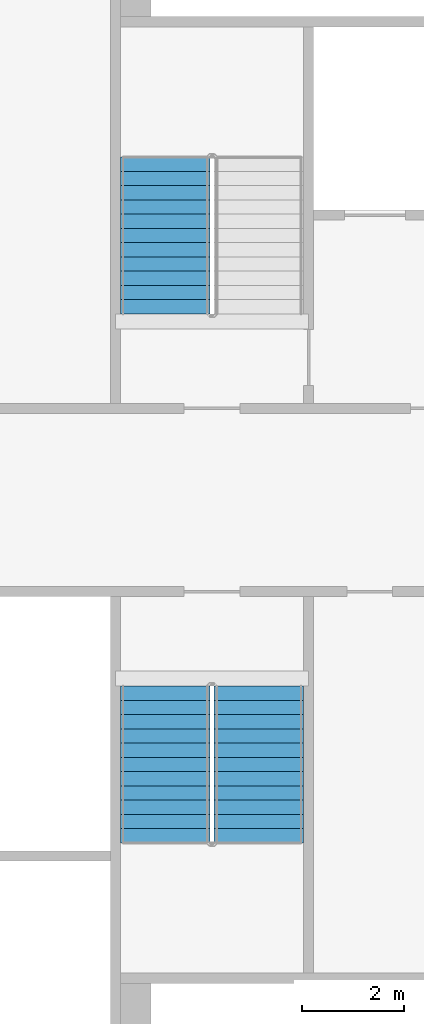
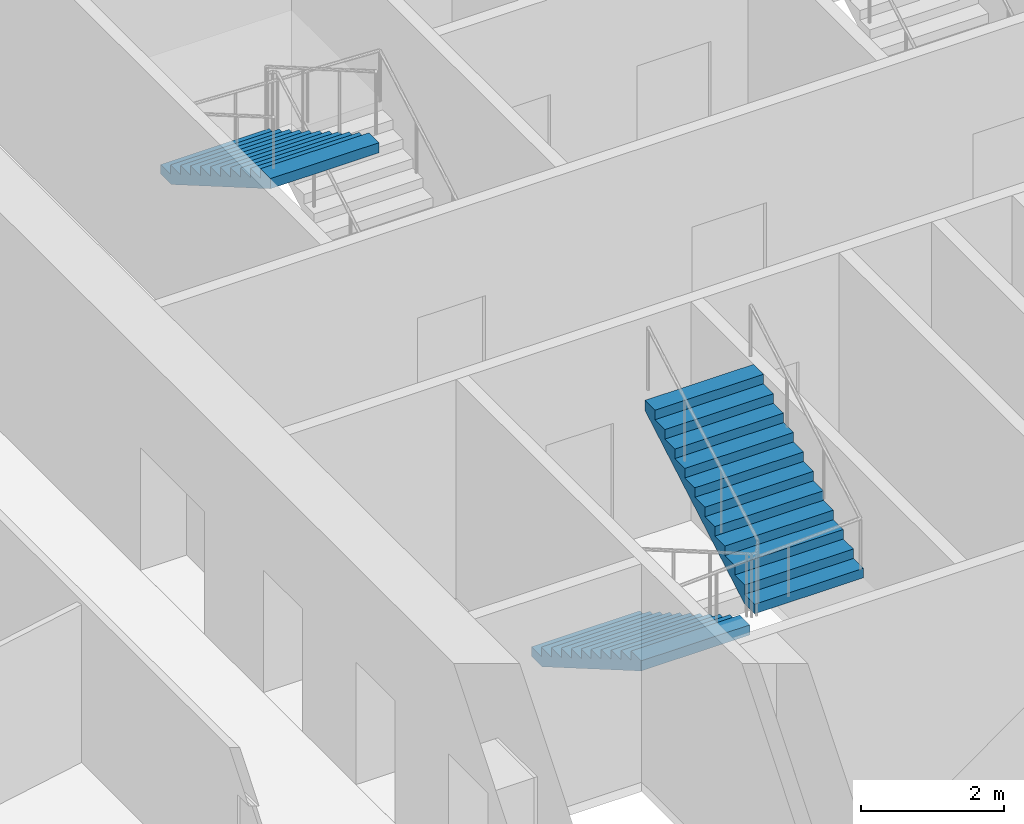
# One storey, part 8 of 16: 3 stair flights, 2 elements without a shape of their own.
"""IFC4 building model written with IfcOpenShell, lengths in metres."""

from ifc_helpers import new_model, si_unit, direction, frame, origin, place, context, subcontext, project, spatial, faceted_brep, material, type_object, element, aggregate, save


model = new_model("IFC4")

# Units and contexts
model_context = context("Model", 3, precision=1e-05, world=origin(), true_north=direction((0.0, 1.0)))
body_context = subcontext(model_context, "Body", "Model", "MODEL_VIEW")
ifc_project = project(units=[si_unit("LENGTHUNIT", "METRE"), si_unit("AREAUNIT", "SQUARE_METRE"), si_unit("VOLUMEUNIT", "CUBIC_METRE"), si_unit("PLANEANGLEUNIT", "RADIAN"), si_unit("MASSUNIT", "GRAM", prefix="KILO")], contexts=[model_context])

# Site, building, storey
site_placement = place(None, origin())
site = spatial("IfcSite", under=ifc_project, at=site_placement, CompositionType="ELEMENT")
building_placement = place(site_placement, origin())
building = spatial("IfcBuilding", under=site, at=building_placement, Name="Tarsis Ring Headquarters", CompositionType="ELEMENT")
storey_placement = place(building_placement, frame((0.0, 0.0, 104.5)))
storey = spatial("IfcBuildingStorey", under=building, at=storey_placement, Name="L23", CompositionType="ELEMENT", Elevation=104.5)

# Stair, stair flight
ifc_material_1 = material(Name="Core stair 1760")
stair_type = type_object("IfcStairType", Name="Core stair 1760", PredefinedType="HALF_TURN_STAIR", material=ifc_material_1)
stair_1_placement = place(storey_placement, origin())
stair_1 = element("IfcStair", 1, at=stair_1_placement, inside=storey, type_object=stair_type, Name="L23 Firefighting stair", PredefinedType="HALF_TURN_STAIR")
ifc_material_2 = material(Name="Concrete C40/50", Category="concrete")
stair_flight_type = type_object("IfcStairFlightType", Name="Core stair flight 1760", PredefinedType="STRAIGHT", material=ifc_material_2)
stair_flight_1_placement = place(storey_placement, frame((-5.419921875, 6.739990234375, 1.949951171875), z_axis=(0.0, 0.0, 1.0), x_axis=(0.0, -1.0, 0.0)))
stair_flight_1 = element("IfcStairFlight", 2, at=stair_flight_1_placement, type_object=stair_flight_type, Name="Stair ST1 flight 2", NumberOfRisers=12, NumberOfTreads=11, PredefinedType="STRAIGHT", RiserHeight=0.1625, TreadLength=0.28, context=body_context, shape_type="Brep", body=[
    faceted_brep([(0.0, 0.8798828125, 0.0), (0.0, 0.8798828125, 0.16259765625), (0.280029296875, 0.8798828125, 0.16259765625), (0.280029296875, 0.8798828125, 0.324951171875), (0.56005859375, 0.8798828125, 0.324951171875), (0.56005859375, 0.8798828125, 0.487548828125), (0.840087890625, 0.8798828125, 0.487548828125), (0.840087890625, 0.8798828125, 0.64990234375), (1.1201171875, 0.8798828125, 0.64990234375), (1.1201171875, 0.8798828125, 0.8125), (1.39990234375, 0.8798828125, 0.8125), (1.39990234375, 0.8798828125, 0.97509765625), (1.679931640625, 0.8798828125, 0.97509765625), (1.679931640625, 0.8798828125, 1.137451171875), (1.9599609375, 0.8798828125, 1.137451171875), (1.9599609375, 0.8798828125, 1.300048828125), (2.239990234375, 0.8798828125, 1.300048828125), (2.239990234375, 0.8798828125, 1.46240234375), (2.52001953125, 0.8798828125, 1.46240234375), (2.52001953125, 0.8798828125, 1.625), (2.800048828125, 0.8798828125, 1.625), (2.800048828125, 0.8798828125, 1.78759765625), (3.080078125, 0.8798828125, 1.78759765625), (3.080078125, 0.8798828125, 1.6142578125), (0.298583984375, 0.8798828125, 0.0), (0.298583984375, -0.8798828125, 0.0), (3.080078125, -0.8798828125, 1.6142578125), (3.080078125, -0.8798828125, 1.78759765625), (2.800048828125, -0.8798828125, 1.78759765625), (2.800048828125, -0.8798828125, 1.625), (2.52001953125, -0.8798828125, 1.625), (2.52001953125, -0.8798828125, 1.46240234375), (2.239990234375, -0.8798828125, 1.46240234375), (2.239990234375, -0.8798828125, 1.300048828125), (1.9599609375, -0.8798828125, 1.300048828125), (1.9599609375, -0.8798828125, 1.137451171875), (1.679931640625, -0.8798828125, 1.137451171875), (1.679931640625, -0.8798828125, 0.97509765625), (1.39990234375, -0.8798828125, 0.97509765625), (1.39990234375, -0.8798828125, 0.8125), (1.1201171875, -0.8798828125, 0.8125), (1.1201171875, -0.8798828125, 0.64990234375), (0.840087890625, -0.8798828125, 0.64990234375), (0.840087890625, -0.8798828125, 0.487548828125), (0.56005859375, -0.8798828125, 0.487548828125), (0.56005859375, -0.8798828125, 0.324951171875), (0.280029296875, -0.8798828125, 0.324951171875), (0.280029296875, -0.8798828125, 0.16259765625), (0.0, -0.8798828125, 0.16259765625), (0.0, -0.8798828125, 0.0), (0.0, -0.43994140625, 0.16259765625), (0.0, -0.43994140625, 0.0), (0.0, 0.0, 0.16259765625), (0.0, 0.0, 0.0), (0.0, 0.43994140625, 0.16259765625), (0.0, 0.43994140625, 0.0), (0.280029296875, -0.43994140625, 0.16259765625), (0.280029296875, 0.0, 0.16259765625), (0.280029296875, 0.43994140625, 0.16259765625), (0.280029296875, -0.43994140625, 0.324951171875), (0.280029296875, 0.0, 0.324951171875), (0.280029296875, 0.43994140625, 0.324951171875), (0.56005859375, -0.43994140625, 0.324951171875), (0.56005859375, 0.0, 0.324951171875), (0.56005859375, 0.43994140625, 0.324951171875), (0.56005859375, -0.43994140625, 0.487548828125), (0.56005859375, 0.0, 0.487548828125), (0.56005859375, 0.43994140625, 0.487548828125), (0.840087890625, -0.43994140625, 0.487548828125), (0.840087890625, 0.0, 0.487548828125), (0.840087890625, 0.43994140625, 0.487548828125), (0.840087890625, -0.43994140625, 0.64990234375), (0.840087890625, 0.0, 0.64990234375), (0.840087890625, 0.43994140625, 0.64990234375), (1.1201171875, -0.43994140625, 0.64990234375), (1.1201171875, 0.0, 0.64990234375), (1.1201171875, 0.43994140625, 0.64990234375), (1.1201171875, -0.43994140625, 0.8125), (1.1201171875, 0.0, 0.8125), (1.1201171875, 0.43994140625, 0.8125), (1.39990234375, -0.43994140625, 0.8125), (1.39990234375, 0.0, 0.8125), (1.39990234375, 0.43994140625, 0.8125), (1.39990234375, -0.43994140625, 0.97509765625), (1.39990234375, 0.0, 0.97509765625), (1.39990234375, 0.43994140625, 0.97509765625), (1.679931640625, -0.43994140625, 0.97509765625), (1.679931640625, 0.0, 0.97509765625), (1.679931640625, 0.43994140625, 0.97509765625), (1.679931640625, -0.43994140625, 1.137451171875), (1.679931640625, 0.0, 1.137451171875), (1.679931640625, 0.43994140625, 1.137451171875), (1.9599609375, -0.43994140625, 1.137451171875), (1.9599609375, 0.0, 1.137451171875), (1.9599609375, 0.43994140625, 1.137451171875), (1.9599609375, -0.43994140625, 1.300048828125), (1.9599609375, 0.0, 1.300048828125), (1.9599609375, 0.43994140625, 1.300048828125), (2.239990234375, -0.43994140625, 1.300048828125), (2.239990234375, 0.0, 1.300048828125), (2.239990234375, 0.43994140625, 1.300048828125), (2.239990234375, -0.43994140625, 1.46240234375), (2.239990234375, 0.0, 1.46240234375), (2.239990234375, 0.43994140625, 1.46240234375), (2.52001953125, -0.43994140625, 1.46240234375), (2.52001953125, 0.0, 1.46240234375), (2.52001953125, 0.43994140625, 1.46240234375), (2.52001953125, -0.43994140625, 1.625), (2.52001953125, 0.0, 1.625), (2.52001953125, 0.43994140625, 1.625), (2.800048828125, -0.43994140625, 1.625), (2.800048828125, 0.0, 1.625), (2.800048828125, 0.43994140625, 1.625), (2.800048828125, -0.43994140625, 1.78759765625), (2.800048828125, 0.0, 1.78759765625), (2.800048828125, 0.43994140625, 1.78759765625), (3.080078125, -0.43994140625, 1.78759765625), (3.080078125, 0.0, 1.78759765625), (3.080078125, 0.43994140625, 1.78759765625), (3.080078125, -0.43994140625, 1.6142578125), (3.080078125, 0.0, 1.6142578125), (3.080078125, 0.43994140625, 1.6142578125), (0.298583984375, -0.43994140625, 0.0), (0.298583984375, 0.0, 0.0), (0.298583984375, 0.43994140625, 0.0)], [[[0, 1, 2, 3, 4, 5, 6, 7, 8, 9, 10, 11, 12, 13, 14, 15, 16, 17, 18, 19, 20, 21, 22, 23, 24]], [[25, 26, 27, 28, 29, 30, 31, 32, 33, 34, 35, 36, 37, 38, 39, 40, 41, 42, 43, 44, 45, 46, 47, 48, 49]], [[49, 48, 50, 51]], [[51, 50, 52, 53]], [[53, 52, 54, 55]], [[55, 54, 1, 0]], [[48, 47, 56, 50]], [[50, 56, 57, 52]], [[52, 57, 58, 54]], [[54, 58, 2, 1]], [[47, 46, 59, 56]], [[56, 59, 60, 57]], [[57, 60, 61, 58]], [[58, 61, 3, 2]], [[46, 45, 62, 59]], [[59, 62, 63, 60]], [[60, 63, 64, 61]], [[61, 64, 4, 3]], [[45, 44, 65, 62]], [[62, 65, 66, 63]], [[63, 66, 67, 64]], [[64, 67, 5, 4]], [[44, 43, 68, 65]], [[65, 68, 69, 66]], [[66, 69, 70, 67]], [[67, 70, 6, 5]], [[43, 42, 71, 68]], [[68, 71, 72, 69]], [[69, 72, 73, 70]], [[70, 73, 7, 6]], [[42, 41, 74, 71]], [[71, 74, 75, 72]], [[72, 75, 76, 73]], [[73, 76, 8, 7]], [[41, 40, 77, 74]], [[74, 77, 78, 75]], [[75, 78, 79, 76]], [[76, 79, 9, 8]], [[40, 39, 80, 77]], [[77, 80, 81, 78]], [[78, 81, 82, 79]], [[79, 82, 10, 9]], [[39, 38, 83, 80]], [[80, 83, 84, 81]], [[81, 84, 85, 82]], [[82, 85, 11, 10]], [[38, 37, 86, 83]], [[83, 86, 87, 84]], [[84, 87, 88, 85]], [[85, 88, 12, 11]], [[37, 36, 89, 86]], [[86, 89, 90, 87]], [[87, 90, 91, 88]], [[88, 91, 13, 12]], [[36, 35, 92, 89]], [[89, 92, 93, 90]], [[90, 93, 94, 91]], [[91, 94, 14, 13]], [[35, 34, 95, 92]], [[92, 95, 96, 93]], [[93, 96, 97, 94]], [[94, 97, 15, 14]], [[34, 33, 98, 95]], [[95, 98, 99, 96]], [[96, 99, 100, 97]], [[97, 100, 16, 15]], [[33, 32, 101, 98]], [[98, 101, 102, 99]], [[99, 102, 103, 100]], [[100, 103, 17, 16]], [[32, 31, 104, 101]], [[101, 104, 105, 102]], [[102, 105, 106, 103]], [[103, 106, 18, 17]], [[31, 30, 107, 104]], [[104, 107, 108, 105]], [[105, 108, 109, 106]], [[106, 109, 19, 18]], [[30, 29, 110, 107]], [[107, 110, 111, 108]], [[108, 111, 112, 109]], [[109, 112, 20, 19]], [[29, 28, 113, 110]], [[110, 113, 114, 111]], [[111, 114, 115, 112]], [[112, 115, 21, 20]], [[28, 27, 116, 113]], [[113, 116, 117, 114]], [[114, 117, 118, 115]], [[115, 118, 22, 21]], [[27, 26, 119, 116]], [[116, 119, 120, 117]], [[117, 120, 121, 118]], [[118, 121, 23, 22]], [[26, 25, 122, 119]], [[119, 122, 123, 120]], [[120, 123, 124, 121]], [[121, 124, 24, 23]], [[25, 49, 51, 122]], [[122, 51, 53, 123]], [[123, 53, 55, 124]], [[124, 55, 0, 24]]]),
])
aggregate(stair_1, [stair_flight_1])

# Stair, stair flights
stair_2_placement = place(storey_placement, origin())
stair_2 = element("IfcStair", 3, at=stair_2_placement, inside=storey, type_object=stair_type, Name="L23 Exit stair C", PredefinedType="HALF_TURN_STAIR")
stair_flight_2_placement = place(storey_placement, frame((-5.419921875, -3.659912109375, 0.0), z_axis=(0.0, 0.0, 1.0), x_axis=(0.0, -1.0, 0.0)))
stair_flight_2 = element("IfcStairFlight", 4, at=stair_flight_2_placement, type_object=stair_flight_type, Name="Stair ST3 flight 1", NumberOfRisers=12, NumberOfTreads=11, PredefinedType="STRAIGHT", RiserHeight=0.1625, TreadLength=0.28, context=body_context, shape_type="Brep", body=[
    faceted_brep([(0.0, 0.8798828125, 0.0), (0.0, 0.8798828125, 0.16259765625), (0.280029296875, 0.8798828125, 0.16259765625), (0.280029296875, 0.8798828125, 0.324951171875), (0.56005859375, 0.8798828125, 0.324951171875), (0.56005859375, 0.8798828125, 0.487548828125), (0.840087890625, 0.8798828125, 0.487548828125), (0.840087890625, 0.8798828125, 0.64990234375), (1.1201171875, 0.8798828125, 0.64990234375), (1.1201171875, 0.8798828125, 0.8125), (1.39990234375, 0.8798828125, 0.8125), (1.39990234375, 0.8798828125, 0.97509765625), (1.679931640625, 0.8798828125, 0.97509765625), (1.679931640625, 0.8798828125, 1.137451171875), (1.9599609375, 0.8798828125, 1.137451171875), (1.9599609375, 0.8798828125, 1.300048828125), (2.239990234375, 0.8798828125, 1.300048828125), (2.239990234375, 0.8798828125, 1.46240234375), (2.52001953125, 0.8798828125, 1.46240234375), (2.52001953125, 0.8798828125, 1.625), (2.800048828125, 0.8798828125, 1.625), (2.800048828125, 0.8798828125, 1.78759765625), (3.080078125, 0.8798828125, 1.78759765625), (3.080078125, 0.8798828125, 1.6142578125), (0.298583984375, 0.8798828125, 0.0), (0.298583984375, -0.8798828125, 0.0), (3.080078125, -0.8798828125, 1.6142578125), (3.080078125, -0.8798828125, 1.78759765625), (2.800048828125, -0.8798828125, 1.78759765625), (2.800048828125, -0.8798828125, 1.625), (2.52001953125, -0.8798828125, 1.625), (2.52001953125, -0.8798828125, 1.46240234375), (2.239990234375, -0.8798828125, 1.46240234375), (2.239990234375, -0.8798828125, 1.300048828125), (1.9599609375, -0.8798828125, 1.300048828125), (1.9599609375, -0.8798828125, 1.137451171875), (1.679931640625, -0.8798828125, 1.137451171875), (1.679931640625, -0.8798828125, 0.97509765625), (1.39990234375, -0.8798828125, 0.97509765625), (1.39990234375, -0.8798828125, 0.8125), (1.1201171875, -0.8798828125, 0.8125), (1.1201171875, -0.8798828125, 0.64990234375), (0.840087890625, -0.8798828125, 0.64990234375), (0.840087890625, -0.8798828125, 0.487548828125), (0.56005859375, -0.8798828125, 0.487548828125), (0.56005859375, -0.8798828125, 0.324951171875), (0.280029296875, -0.8798828125, 0.324951171875), (0.280029296875, -0.8798828125, 0.16259765625), (0.0, -0.8798828125, 0.16259765625), (0.0, -0.8798828125, 0.0), (0.0, -0.43994140625, 0.16259765625), (0.0, -0.43994140625, 0.0), (0.0, 0.0, 0.16259765625), (0.0, 0.0, 0.0), (0.0, 0.43994140625, 0.16259765625), (0.0, 0.43994140625, 0.0), (0.280029296875, -0.43994140625, 0.16259765625), (0.280029296875, 0.0, 0.16259765625), (0.280029296875, 0.43994140625, 0.16259765625), (0.280029296875, -0.43994140625, 0.324951171875), (0.280029296875, 0.0, 0.324951171875), (0.280029296875, 0.43994140625, 0.324951171875), (0.56005859375, -0.43994140625, 0.324951171875), (0.56005859375, 0.0, 0.324951171875), (0.56005859375, 0.43994140625, 0.324951171875), (0.56005859375, -0.43994140625, 0.487548828125), (0.56005859375, 0.0, 0.487548828125), (0.56005859375, 0.43994140625, 0.487548828125), (0.840087890625, -0.43994140625, 0.487548828125), (0.840087890625, 0.0, 0.487548828125), (0.840087890625, 0.43994140625, 0.487548828125), (0.840087890625, -0.43994140625, 0.64990234375), (0.840087890625, 0.0, 0.64990234375), (0.840087890625, 0.43994140625, 0.64990234375), (1.1201171875, -0.43994140625, 0.64990234375), (1.1201171875, 0.0, 0.64990234375), (1.1201171875, 0.43994140625, 0.64990234375), (1.1201171875, -0.43994140625, 0.8125), (1.1201171875, 0.0, 0.8125), (1.1201171875, 0.43994140625, 0.8125), (1.39990234375, -0.43994140625, 0.8125), (1.39990234375, 0.0, 0.8125), (1.39990234375, 0.43994140625, 0.8125), (1.39990234375, -0.43994140625, 0.97509765625), (1.39990234375, 0.0, 0.97509765625), (1.39990234375, 0.43994140625, 0.97509765625), (1.679931640625, -0.43994140625, 0.97509765625), (1.679931640625, 0.0, 0.97509765625), (1.679931640625, 0.43994140625, 0.97509765625), (1.679931640625, -0.43994140625, 1.137451171875), (1.679931640625, 0.0, 1.137451171875), (1.679931640625, 0.43994140625, 1.137451171875), (1.9599609375, -0.43994140625, 1.137451171875), (1.9599609375, 0.0, 1.137451171875), (1.9599609375, 0.43994140625, 1.137451171875), (1.9599609375, -0.43994140625, 1.300048828125), (1.9599609375, 0.0, 1.300048828125), (1.9599609375, 0.43994140625, 1.300048828125), (2.239990234375, -0.43994140625, 1.300048828125), (2.239990234375, 0.0, 1.300048828125), (2.239990234375, 0.43994140625, 1.300048828125), (2.239990234375, -0.43994140625, 1.46240234375), (2.239990234375, 0.0, 1.46240234375), (2.239990234375, 0.43994140625, 1.46240234375), (2.52001953125, -0.43994140625, 1.46240234375), (2.52001953125, 0.0, 1.46240234375), (2.52001953125, 0.43994140625, 1.46240234375), (2.52001953125, -0.43994140625, 1.625), (2.52001953125, 0.0, 1.625), (2.52001953125, 0.43994140625, 1.625), (2.800048828125, -0.43994140625, 1.625), (2.800048828125, 0.0, 1.625), (2.800048828125, 0.43994140625, 1.625), (2.800048828125, -0.43994140625, 1.78759765625), (2.800048828125, 0.0, 1.78759765625), (2.800048828125, 0.43994140625, 1.78759765625), (3.080078125, -0.43994140625, 1.78759765625), (3.080078125, 0.0, 1.78759765625), (3.080078125, 0.43994140625, 1.78759765625), (3.080078125, -0.43994140625, 1.6142578125), (3.080078125, 0.0, 1.6142578125), (3.080078125, 0.43994140625, 1.6142578125), (0.298583984375, -0.43994140625, 0.0), (0.298583984375, 0.0, 0.0), (0.298583984375, 0.43994140625, 0.0)], [[[0, 1, 2, 3, 4, 5, 6, 7, 8, 9, 10, 11, 12, 13, 14, 15, 16, 17, 18, 19, 20, 21, 22, 23, 24]], [[25, 26, 27, 28, 29, 30, 31, 32, 33, 34, 35, 36, 37, 38, 39, 40, 41, 42, 43, 44, 45, 46, 47, 48, 49]], [[49, 48, 50, 51]], [[51, 50, 52, 53]], [[53, 52, 54, 55]], [[55, 54, 1, 0]], [[48, 47, 56, 50]], [[50, 56, 57, 52]], [[52, 57, 58, 54]], [[54, 58, 2, 1]], [[47, 46, 59, 56]], [[56, 59, 60, 57]], [[57, 60, 61, 58]], [[58, 61, 3, 2]], [[46, 45, 62, 59]], [[59, 62, 63, 60]], [[60, 63, 64, 61]], [[61, 64, 4, 3]], [[45, 44, 65, 62]], [[62, 65, 66, 63]], [[63, 66, 67, 64]], [[64, 67, 5, 4]], [[44, 43, 68, 65]], [[65, 68, 69, 66]], [[66, 69, 70, 67]], [[67, 70, 6, 5]], [[43, 42, 71, 68]], [[68, 71, 72, 69]], [[69, 72, 73, 70]], [[70, 73, 7, 6]], [[42, 41, 74, 71]], [[71, 74, 75, 72]], [[72, 75, 76, 73]], [[73, 76, 8, 7]], [[41, 40, 77, 74]], [[74, 77, 78, 75]], [[75, 78, 79, 76]], [[76, 79, 9, 8]], [[40, 39, 80, 77]], [[77, 80, 81, 78]], [[78, 81, 82, 79]], [[79, 82, 10, 9]], [[39, 38, 83, 80]], [[80, 83, 84, 81]], [[81, 84, 85, 82]], [[82, 85, 11, 10]], [[38, 37, 86, 83]], [[83, 86, 87, 84]], [[84, 87, 88, 85]], [[85, 88, 12, 11]], [[37, 36, 89, 86]], [[86, 89, 90, 87]], [[87, 90, 91, 88]], [[88, 91, 13, 12]], [[36, 35, 92, 89]], [[89, 92, 93, 90]], [[90, 93, 94, 91]], [[91, 94, 14, 13]], [[35, 34, 95, 92]], [[92, 95, 96, 93]], [[93, 96, 97, 94]], [[94, 97, 15, 14]], [[34, 33, 98, 95]], [[95, 98, 99, 96]], [[96, 99, 100, 97]], [[97, 100, 16, 15]], [[33, 32, 101, 98]], [[98, 101, 102, 99]], [[99, 102, 103, 100]], [[100, 103, 17, 16]], [[32, 31, 104, 101]], [[101, 104, 105, 102]], [[102, 105, 106, 103]], [[103, 106, 18, 17]], [[31, 30, 107, 104]], [[104, 107, 108, 105]], [[105, 108, 109, 106]], [[106, 109, 19, 18]], [[30, 29, 110, 107]], [[107, 110, 111, 108]], [[108, 111, 112, 109]], [[109, 112, 20, 19]], [[29, 28, 113, 110]], [[110, 113, 114, 111]], [[111, 114, 115, 112]], [[112, 115, 21, 20]], [[28, 27, 116, 113]], [[113, 116, 117, 114]], [[114, 117, 118, 115]], [[115, 118, 22, 21]], [[27, 26, 119, 116]], [[116, 119, 120, 117]], [[117, 120, 121, 118]], [[118, 121, 23, 22]], [[26, 25, 122, 119]], [[119, 122, 123, 120]], [[120, 123, 124, 121]], [[121, 124, 24, 23]], [[25, 49, 51, 122]], [[122, 51, 53, 123]], [[123, 53, 55, 124]], [[124, 55, 0, 24]]]),
])
stair_flight_3_placement = place(storey_placement, frame((-3.580078125, -6.739990234375, 1.949951171875), z_axis=(0.0, 0.0, 1.0), x_axis=(0.0, 1.0, 0.0)))
stair_flight_3 = element("IfcStairFlight", 5, at=stair_flight_3_placement, type_object=stair_flight_type, Name="Stair ST3 flight 2", NumberOfRisers=12, NumberOfTreads=11, PredefinedType="STRAIGHT", RiserHeight=0.1625, TreadLength=0.28, context=body_context, shape_type="Brep", body=[
    faceted_brep([(0.0, 0.8798828125, 0.0), (0.0, 0.8798828125, 0.16259765625), (0.280029296875, 0.8798828125, 0.16259765625), (0.280029296875, 0.8798828125, 0.324951171875), (0.56005859375, 0.8798828125, 0.324951171875), (0.56005859375, 0.8798828125, 0.487548828125), (0.840087890625, 0.8798828125, 0.487548828125), (0.840087890625, 0.8798828125, 0.64990234375), (1.1201171875, 0.8798828125, 0.64990234375), (1.1201171875, 0.8798828125, 0.8125), (1.39990234375, 0.8798828125, 0.8125), (1.39990234375, 0.8798828125, 0.97509765625), (1.679931640625, 0.8798828125, 0.97509765625), (1.679931640625, 0.8798828125, 1.137451171875), (1.9599609375, 0.8798828125, 1.137451171875), (1.9599609375, 0.8798828125, 1.300048828125), (2.239990234375, 0.8798828125, 1.300048828125), (2.239990234375, 0.8798828125, 1.46240234375), (2.52001953125, 0.8798828125, 1.46240234375), (2.52001953125, 0.8798828125, 1.625), (2.800048828125, 0.8798828125, 1.625), (2.800048828125, 0.8798828125, 1.78759765625), (3.080078125, 0.8798828125, 1.78759765625), (3.080078125, 0.8798828125, 1.6142578125), (0.298583984375, 0.8798828125, 0.0), (0.298583984375, -0.8798828125, 0.0), (3.080078125, -0.8798828125, 1.6142578125), (3.080078125, -0.8798828125, 1.78759765625), (2.800048828125, -0.8798828125, 1.78759765625), (2.800048828125, -0.8798828125, 1.625), (2.52001953125, -0.8798828125, 1.625), (2.52001953125, -0.8798828125, 1.46240234375), (2.239990234375, -0.8798828125, 1.46240234375), (2.239990234375, -0.8798828125, 1.300048828125), (1.9599609375, -0.8798828125, 1.300048828125), (1.9599609375, -0.8798828125, 1.137451171875), (1.679931640625, -0.8798828125, 1.137451171875), (1.679931640625, -0.8798828125, 0.97509765625), (1.39990234375, -0.8798828125, 0.97509765625), (1.39990234375, -0.8798828125, 0.8125), (1.1201171875, -0.8798828125, 0.8125), (1.1201171875, -0.8798828125, 0.64990234375), (0.840087890625, -0.8798828125, 0.64990234375), (0.840087890625, -0.8798828125, 0.487548828125), (0.56005859375, -0.8798828125, 0.487548828125), (0.56005859375, -0.8798828125, 0.324951171875), (0.280029296875, -0.8798828125, 0.324951171875), (0.280029296875, -0.8798828125, 0.16259765625), (0.0, -0.8798828125, 0.16259765625), (0.0, -0.8798828125, 0.0), (0.0, -0.43994140625, 0.16259765625), (0.0, -0.43994140625, 0.0), (0.0, 0.0, 0.16259765625), (0.0, 0.0, 0.0), (0.0, 0.43994140625, 0.16259765625), (0.0, 0.43994140625, 0.0), (0.280029296875, -0.43994140625, 0.16259765625), (0.280029296875, 0.0, 0.16259765625), (0.280029296875, 0.43994140625, 0.16259765625), (0.280029296875, -0.43994140625, 0.324951171875), (0.280029296875, 0.0, 0.324951171875), (0.280029296875, 0.43994140625, 0.324951171875), (0.56005859375, -0.43994140625, 0.324951171875), (0.56005859375, 0.0, 0.324951171875), (0.56005859375, 0.43994140625, 0.324951171875), (0.56005859375, -0.43994140625, 0.487548828125), (0.56005859375, 0.0, 0.487548828125), (0.56005859375, 0.43994140625, 0.487548828125), (0.840087890625, -0.43994140625, 0.487548828125), (0.840087890625, 0.0, 0.487548828125), (0.840087890625, 0.43994140625, 0.487548828125), (0.840087890625, -0.43994140625, 0.64990234375), (0.840087890625, 0.0, 0.64990234375), (0.840087890625, 0.43994140625, 0.64990234375), (1.1201171875, -0.43994140625, 0.64990234375), (1.1201171875, 0.0, 0.64990234375), (1.1201171875, 0.43994140625, 0.64990234375), (1.1201171875, -0.43994140625, 0.8125), (1.1201171875, 0.0, 0.8125), (1.1201171875, 0.43994140625, 0.8125), (1.39990234375, -0.43994140625, 0.8125), (1.39990234375, 0.0, 0.8125), (1.39990234375, 0.43994140625, 0.8125), (1.39990234375, -0.43994140625, 0.97509765625), (1.39990234375, 0.0, 0.97509765625), (1.39990234375, 0.43994140625, 0.97509765625), (1.679931640625, -0.43994140625, 0.97509765625), (1.679931640625, 0.0, 0.97509765625), (1.679931640625, 0.43994140625, 0.97509765625), (1.679931640625, -0.43994140625, 1.137451171875), (1.679931640625, 0.0, 1.137451171875), (1.679931640625, 0.43994140625, 1.137451171875), (1.9599609375, -0.43994140625, 1.137451171875), (1.9599609375, 0.0, 1.137451171875), (1.9599609375, 0.43994140625, 1.137451171875), (1.9599609375, -0.43994140625, 1.300048828125), (1.9599609375, 0.0, 1.300048828125), (1.9599609375, 0.43994140625, 1.300048828125), (2.239990234375, -0.43994140625, 1.300048828125), (2.239990234375, 0.0, 1.300048828125), (2.239990234375, 0.43994140625, 1.300048828125), (2.239990234375, -0.43994140625, 1.46240234375), (2.239990234375, 0.0, 1.46240234375), (2.239990234375, 0.43994140625, 1.46240234375), (2.52001953125, -0.43994140625, 1.46240234375), (2.52001953125, 0.0, 1.46240234375), (2.52001953125, 0.43994140625, 1.46240234375), (2.52001953125, -0.43994140625, 1.625), (2.52001953125, 0.0, 1.625), (2.52001953125, 0.43994140625, 1.625), (2.800048828125, -0.43994140625, 1.625), (2.800048828125, 0.0, 1.625), (2.800048828125, 0.43994140625, 1.625), (2.800048828125, -0.43994140625, 1.78759765625), (2.800048828125, 0.0, 1.78759765625), (2.800048828125, 0.43994140625, 1.78759765625), (3.080078125, -0.43994140625, 1.78759765625), (3.080078125, 0.0, 1.78759765625), (3.080078125, 0.43994140625, 1.78759765625), (3.080078125, -0.43994140625, 1.6142578125), (3.080078125, 0.0, 1.6142578125), (3.080078125, 0.43994140625, 1.6142578125), (0.298583984375, -0.43994140625, 0.0), (0.298583984375, 0.0, 0.0), (0.298583984375, 0.43994140625, 0.0)], [[[0, 1, 2, 3, 4, 5, 6, 7, 8, 9, 10, 11, 12, 13, 14, 15, 16, 17, 18, 19, 20, 21, 22, 23, 24]], [[25, 26, 27, 28, 29, 30, 31, 32, 33, 34, 35, 36, 37, 38, 39, 40, 41, 42, 43, 44, 45, 46, 47, 48, 49]], [[49, 48, 50, 51]], [[51, 50, 52, 53]], [[53, 52, 54, 55]], [[55, 54, 1, 0]], [[48, 47, 56, 50]], [[50, 56, 57, 52]], [[52, 57, 58, 54]], [[54, 58, 2, 1]], [[47, 46, 59, 56]], [[56, 59, 60, 57]], [[57, 60, 61, 58]], [[58, 61, 3, 2]], [[46, 45, 62, 59]], [[59, 62, 63, 60]], [[60, 63, 64, 61]], [[61, 64, 4, 3]], [[45, 44, 65, 62]], [[62, 65, 66, 63]], [[63, 66, 67, 64]], [[64, 67, 5, 4]], [[44, 43, 68, 65]], [[65, 68, 69, 66]], [[66, 69, 70, 67]], [[67, 70, 6, 5]], [[43, 42, 71, 68]], [[68, 71, 72, 69]], [[69, 72, 73, 70]], [[70, 73, 7, 6]], [[42, 41, 74, 71]], [[71, 74, 75, 72]], [[72, 75, 76, 73]], [[73, 76, 8, 7]], [[41, 40, 77, 74]], [[74, 77, 78, 75]], [[75, 78, 79, 76]], [[76, 79, 9, 8]], [[40, 39, 80, 77]], [[77, 80, 81, 78]], [[78, 81, 82, 79]], [[79, 82, 10, 9]], [[39, 38, 83, 80]], [[80, 83, 84, 81]], [[81, 84, 85, 82]], [[82, 85, 11, 10]], [[38, 37, 86, 83]], [[83, 86, 87, 84]], [[84, 87, 88, 85]], [[85, 88, 12, 11]], [[37, 36, 89, 86]], [[86, 89, 90, 87]], [[87, 90, 91, 88]], [[88, 91, 13, 12]], [[36, 35, 92, 89]], [[89, 92, 93, 90]], [[90, 93, 94, 91]], [[91, 94, 14, 13]], [[35, 34, 95, 92]], [[92, 95, 96, 93]], [[93, 96, 97, 94]], [[94, 97, 15, 14]], [[34, 33, 98, 95]], [[95, 98, 99, 96]], [[96, 99, 100, 97]], [[97, 100, 16, 15]], [[33, 32, 101, 98]], [[98, 101, 102, 99]], [[99, 102, 103, 100]], [[100, 103, 17, 16]], [[32, 31, 104, 101]], [[101, 104, 105, 102]], [[102, 105, 106, 103]], [[103, 106, 18, 17]], [[31, 30, 107, 104]], [[104, 107, 108, 105]], [[105, 108, 109, 106]], [[106, 109, 19, 18]], [[30, 29, 110, 107]], [[107, 110, 111, 108]], [[108, 111, 112, 109]], [[109, 112, 20, 19]], [[29, 28, 113, 110]], [[110, 113, 114, 111]], [[111, 114, 115, 112]], [[112, 115, 21, 20]], [[28, 27, 116, 113]], [[113, 116, 117, 114]], [[114, 117, 118, 115]], [[115, 118, 22, 21]], [[27, 26, 119, 116]], [[116, 119, 120, 117]], [[117, 120, 121, 118]], [[118, 121, 23, 22]], [[26, 25, 122, 119]], [[119, 122, 123, 120]], [[120, 123, 124, 121]], [[121, 124, 24, 23]], [[25, 49, 51, 122]], [[122, 51, 53, 123]], [[123, 53, 55, 124]], [[124, 55, 0, 24]]]),
])
aggregate(stair_2, [stair_flight_2, stair_flight_3])

save(model, "model.ifc")
